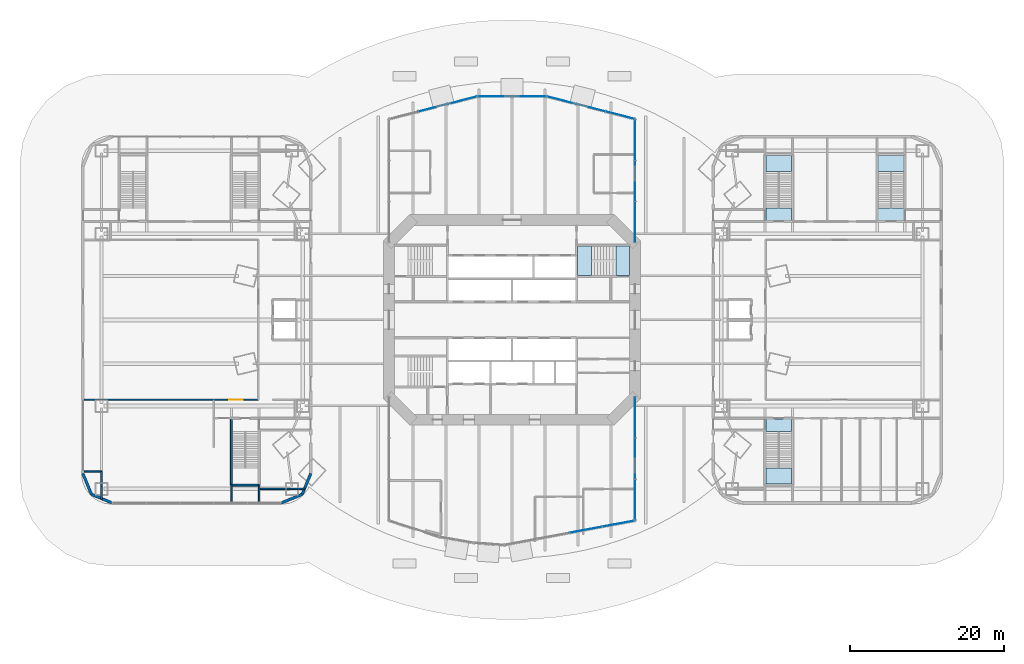
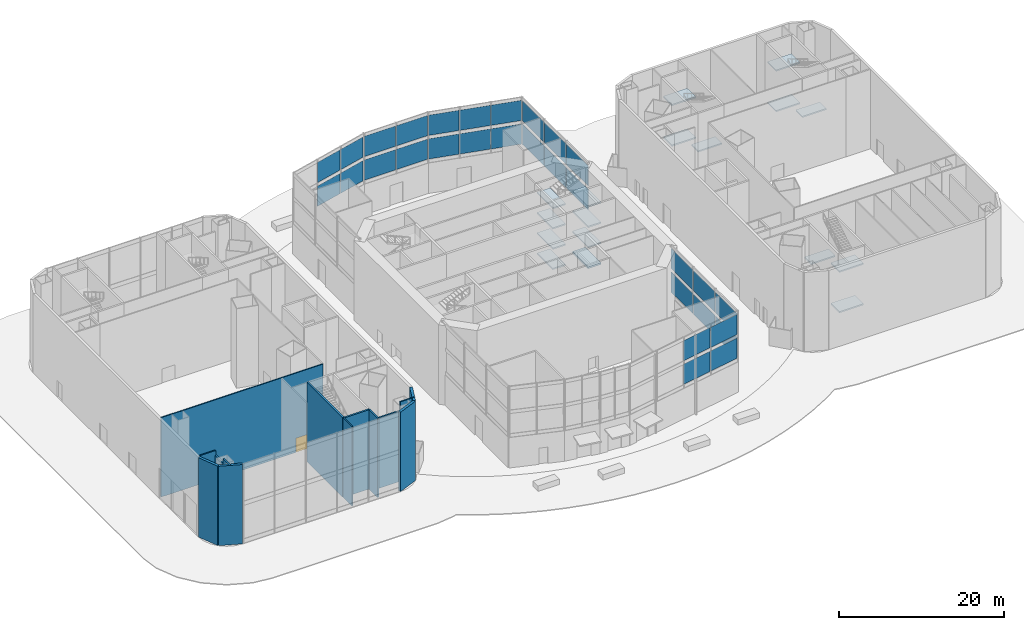
# One storey, part 10 of 23: 30 plates, 17 slabs, 14 walls, 1 door, 1 opening, 10 elements without a shape of their own.
"""IFC4 building model written with IfcOpenShell, lengths in metres."""

import ifcopenshell
import ifcopenshell.guid

model = None  # the IFC model being written
_history = None  # IfcOwnerHistory: only IFC2X3 demands one
_inside = {}  # id of a spatial element -> (the spatial element, [elements in it])
_under = {}  # id of a project, library or spatial element -> (it, [spatial elements below it])
_declared = {}  # id of a project -> (the project, [libraries it declares])
_typed = {}  # id of a type object -> (the type object, [elements of that type])
_made_of = {}  # id of a material, layer set ... -> (it, [elements and type objects made of it])


def new_model(schema):
    """Start an empty IFC model of exactly this schema.

    Asked for "IFC4X3", IfcOpenShell would pick the latest addendum, in which some entities
    have other attributes; the version numbers below select the first issue.
    IFC2X3 requires an IfcOwnerHistory on every rooted entity: one is made here for all.
    """
    global model, _history
    if schema == "IFC4X3":
        model = ifcopenshell.file(schema_version=(4, 3, 0, 0))
    else:
        model = ifcopenshell.file(schema=schema)
    _inside.clear()
    _under.clear()
    _declared.clear()
    _typed.clear()
    _made_of.clear()
    _history = None
    if model.schema == "IFC2X3":
        org = make("IfcOrganization", Name="unknown")
        user = make(
            "IfcPersonAndOrganization",
            ThePerson=make("IfcPerson", FamilyName="unknown"),
            TheOrganization=org,
        )
        app = make(
            "IfcApplication",
            ApplicationDeveloper=org,
            Version="unknown",
            ApplicationFullName="unknown",
            ApplicationIdentifier="unknown",
        )
        _history = make(
            "IfcOwnerHistory",
            OwningUser=user,
            OwningApplication=app,
            ChangeAction="ADDED",
            CreationDate=0,
        )
    return model


def make(cls, **values):
    """One entity of the class cls with the attributes given. An attribute that is None is left unset."""
    return model.create_entity(
        cls, **{name: value for name, value in values.items() if value is not None}
    )


def rooted(cls, **values):
    """An entity with a GlobalId (a new one), such as an element, a storey or a relation."""
    return make(cls, GlobalId=ifcopenshell.guid.new(), OwnerHistory=_history, **values)


def si_unit(unit_type, name, prefix=None):
    """IfcSIUnit, for example si_unit("LENGTHUNIT", "METRE", prefix="MILLI")."""
    return make("IfcSIUnit", UnitType=unit_type, Prefix=prefix, Name=name)


def assignment(units):
    """IfcUnitAssignment: the units of a project."""
    return None if units is None else make("IfcUnitAssignment", Units=units)


def point(xyz):
    """IfcCartesianPoint."""
    return None if xyz is None else make("IfcCartesianPoint", Coordinates=xyz)


def direction(xyz):
    """IfcDirection."""
    return None if xyz is None else make("IfcDirection", DirectionRatios=xyz)


def frame(location, z_axis=None, x_axis=None):
    """IfcAxis2Placement3D, a coordinate frame: its origin and axes. An axis left out is left unset."""
    return make(
        "IfcAxis2Placement3D",
        Location=point(location),
        Axis=direction(z_axis),
        RefDirection=direction(x_axis),
    )


def frame_2d(location, x_axis=None):
    """IfcAxis2Placement2D, a coordinate frame in the plane: its origin and x axis."""
    return make(
        "IfcAxis2Placement2D", Location=point(location), RefDirection=direction(x_axis)
    )


def origin():
    """The frame at (0, 0, 0) with its axes left unset."""
    return frame((0.0, 0.0, 0.0))


def origin_2d():
    """The frame at (0, 0) in the plane with its x axis left unset."""
    return frame_2d((0.0, 0.0))


def place(relative_to, where):
    """IfcLocalPlacement: puts the frame where relative to a parent placement (None: the world)."""
    return make(
        "IfcLocalPlacement", PlacementRelTo=relative_to, RelativePlacement=where
    )


def context(
    kind, dimensions, precision=None, world=None, true_north=None, identifier=None
):
    """IfcGeometricRepresentationContext, for example the 3D "Model" context."""
    return make(
        "IfcGeometricRepresentationContext",
        ContextIdentifier=identifier,
        ContextType=kind,
        CoordinateSpaceDimension=dimensions,
        Precision=precision,
        WorldCoordinateSystem=world,
        TrueNorth=true_north,
    )


def subcontext(parent, identifier, kind, view, scale=None):
    """IfcGeometricRepresentationSubContext, for example "Body" below "Model"."""
    return make(
        "IfcGeometricRepresentationSubContext",
        ContextIdentifier=identifier,
        ContextType=kind,
        ParentContext=parent,
        TargetScale=scale,
        TargetView=view,
    )


def project(units=None, contexts=None):
    """IfcProject with its units and contexts."""
    return rooted(
        "IfcProject",
        Name="project",
        RepresentationContexts=contexts,
        UnitsInContext=assignment(units),
    )


def spatial(cls, under=None, at=None, **own):
    """A site, building, storey or space (cls), placed at a placement, below another one or the project."""
    s = rooted(cls, ObjectPlacement=at, **own)
    if under is not None:
        _under.setdefault(under.id(), (under, []))[1].append(s)
    return s


def polyline(points):
    """IfcPolyline through the points."""
    return make("IfcPolyline", Points=[point(p) for p in points])


def profile(cls, at=None, kind="AREA", **sizes):
    """A parametric profile (cls). Its sizes go by their IFC names, for example OverallWidth=200.0."""
    return make(cls, ProfileType=kind, Position=at, **sizes)


def rectangle(**sizes):
    """IfcRectangleProfileDef."""
    return profile("IfcRectangleProfileDef", **sizes)


def outline(outer, holes=None, kind="AREA"):
    """IfcArbitraryClosedProfileDef: a profile drawn as a closed curve; with holes, ...WithVoids."""
    if holes is None:
        return make("IfcArbitraryClosedProfileDef", ProfileType=kind, OuterCurve=outer)
    return make(
        "IfcArbitraryProfileDefWithVoids",
        ProfileType=kind,
        OuterCurve=outer,
        InnerCurves=holes,
    )


def extrude(swept, where, along, depth):
    """IfcExtrudedAreaSolid: the profile swept, set in the frame where, extruded along a direction by depth."""
    return make(
        "IfcExtrudedAreaSolid",
        SweptArea=swept,
        Position=where,
        ExtrudedDirection=direction(along),
        Depth=depth,
    )


def shape(context_of_items, identifier, shape_type, items):
    """IfcShapeRepresentation: the items that make up one representation, for example the "Body"."""
    return make(
        "IfcShapeRepresentation",
        ContextOfItems=context_of_items,
        RepresentationIdentifier=identifier,
        RepresentationType=shape_type,
        Items=items,
    )


def material(Name=None, Category=None):
    """IfcMaterial."""
    return make("IfcMaterial", Name=Name, Category=Category)


def layer(
    of_material, thickness, ventilated=None, Name=None, Category=None, Priority=None
):
    """IfcMaterialLayer: one layer of a wall or slab, of a material (None: an air gap)."""
    return make(
        "IfcMaterialLayer",
        Material=of_material,
        LayerThickness=thickness,
        IsVentilated=ventilated,
        Name=Name,
        Category=Category,
        Priority=Priority,
    )


def layer_set(layers, Name=None):
    """IfcMaterialLayerSet."""
    return make("IfcMaterialLayerSet", MaterialLayers=layers, LayerSetName=Name)


def made_of(thing, what):
    """Note that an element or type object is made of a material, layer set ...; save() writes the relation."""
    if what is not None:
        _made_of.setdefault(what.id(), (what, []))[1].append(thing)
    return thing


def type_object(cls, material=None, **own):
    """A type object (cls), such as IfcWallType, which elements share."""
    return made_of(rooted(cls, **own), material)


def element(
    cls,
    number,
    at=None,
    inside=None,
    cuts=None,
    type_object=None,
    material=None,
    context=None,
    identifier="Body",
    shape_type=None,
    held_by="IfcProductDefinitionShape",
    body=None,
    shapes=None,
    **own,
):
    """One element of the class cls, such as IfcWall. Its Tag is "e" and its number.

    at: its placement. inside: the storey or other place that contains it. cuts: it is an
    opening in that element (IfcRelVoidsElement). A single representation is given by context,
    identifier, shape_type and body (its items); several are given by shapes. held_by: the class
    of the entity that holds the representations. save() writes the other relations.
    """
    e = rooted(cls, Tag="e%d" % number, ObjectPlacement=at, **own)
    if body is not None:
        shapes = [shape(context, identifier, shape_type, body)]
    if shapes is not None:
        e.Representation = make(held_by, Representations=shapes)
    if inside is not None:
        _inside.setdefault(inside.id(), (inside, []))[1].append(e)
    if cuts is not None:
        rooted(
            "IfcRelVoidsElement", RelatingBuildingElement=cuts, RelatedOpeningElement=e
        )
    if type_object is not None:
        _typed.setdefault(type_object.id(), (type_object, []))[1].append(e)
    return made_of(e, material)


def fill(opening, filler):
    """IfcRelFillsElement: the door or window that sits in an opening."""
    return rooted(
        "IfcRelFillsElement",
        RelatingOpeningElement=opening,
        RelatedBuildingElement=filler,
    )


def aggregate(whole, parts):
    """IfcRelAggregates: a whole, such as a stair, and the parts it consists of."""
    return rooted("IfcRelAggregates", RelatingObject=whole, RelatedObjects=parts)


def save(model, path):
    """Write the relations noted so far, then the file.

    IfcRelAggregates (storeys below a building ...), IfcRelContainedInSpatialStructure (elements
    in a storey), IfcRelDefinesByType, IfcRelAssociatesMaterial and IfcRelDeclares: one each for
    every whole, place, type object, material and project.
    """
    for whole, parts in _under.values():
        aggregate(whole, parts)
    for where, things in _inside.values():
        rooted(
            "IfcRelContainedInSpatialStructure",
            RelatedElements=things,
            RelatingStructure=where,
        )
    for kind, things in _typed.values():
        rooted("IfcRelDefinesByType", RelatedObjects=things, RelatingType=kind)
    for what, things in _made_of.values():
        rooted("IfcRelAssociatesMaterial", RelatedObjects=things, RelatingMaterial=what)
    for by, libraries in _declared.values():
        rooted("IfcRelDeclares", RelatingContext=by, RelatedDefinitions=libraries)
    model.write(path)


model = new_model("IFC4")

# Units and contexts
model_context = context("Model", 3, precision=1e-05, world=origin(), true_north=direction((0.0, 1.0)))
body_context = subcontext(model_context, "Body", "Model", "MODEL_VIEW")
ifc_project = project(units=[si_unit("LENGTHUNIT", "METRE"), si_unit("AREAUNIT", "SQUARE_METRE"), si_unit("VOLUMEUNIT", "CUBIC_METRE"), si_unit("PLANEANGLEUNIT", "RADIAN"), si_unit("MASSUNIT", "GRAM", prefix="KILO")], contexts=[model_context])

# Site, building, storey
site_placement = place(None, origin())
site = spatial("IfcSite", under=ifc_project, at=site_placement, CompositionType="ELEMENT")
building_placement = place(site_placement, origin())
building = spatial("IfcBuilding", under=site, at=building_placement, Name="Marenthal Gate Tower", CompositionType="ELEMENT")
storey_placement = place(building_placement, origin())
storey = spatial("IfcBuildingStorey", under=building, at=storey_placement, Name="L00", CompositionType="ELEMENT", Elevation=0.0)

# Slab
ifc_material_1 = material(Name="Concrete 50 MPa", Category="concrete")
ifc_layer_1 = layer(ifc_material_1, 0.25)
ifc_layer_set_1 = layer_set([ifc_layer_1], Name="Core floor slab 250")
slab_type_1 = type_object("IfcSlabType", Name="Core floor slab 250", PredefinedType="FLOOR", material=ifc_layer_set_1)
slab_1_placement = place(storey_placement, frame((0.0, 0.0, -0.25)))
element("IfcSlab", 1, at=slab_1_placement, inside=storey, type_object=slab_type_1, Name="Core floor L00", PredefinedType="FLOOR", context=body_context, shape_type="SweptSolid", body=[
    extrude(outline(polyline([(15.300048828125, 5.77490234375), (13.5, 5.77490234375), (13.5, 9.574951171875), (15.300048828125, 9.574951171875), (15.300048828125, 5.77490234375)])), origin(), (0.0, 0.0, 1.0), 0.25),
])

# Curtain wall, plates
ifc_material_2 = material(Name="Aluminium and glass", Category="aluminium")
curtain_wall_type = type_object("IfcCurtainWallType", Name="Curtain wall arch infill", PredefinedType="NOTDEFINED", material=ifc_material_2)
curtain_wall_1_placement = place(storey_placement, origin())
curtain_wall_1 = element("IfcCurtainWall", 2, at=curtain_wall_1_placement, inside=storey, type_object=curtain_wall_type, Name="Curtain wall L00 arch N1", PredefinedType="NOTDEFINED")
ifc_material_3 = material(Name="Glass, laminated impact-rated unit", Category="glass")
ifc_layer_2 = layer(ifc_material_3, 0.035888671875)
ifc_layer_set_2 = layer_set([ifc_layer_2], Name="Glass panel 36 arch infill")
plate_type = type_object("IfcPlateType", Name="Glass panel 36 arch infill", PredefinedType="CURTAIN_PANEL", material=ifc_layer_set_2)
plate_1_placement = place(storey_placement, frame((-10.25, 27.589111328125, 5.0), z_axis=(0.0, 0.0, 1.0), x_axis=(0.968768898542, 0.247965362941, 0.0)))
plate_1 = element("IfcPlate", 3, at=plate_1_placement, type_object=plate_type, Name="Glass panel L00 arch N1.2.1", PredefinedType="CURTAIN_PANEL", context=body_context, shape_type="SweptSolid", body=[
    extrude(rectangle(XDim=3.850341796875, YDim=0.035888671875, at=origin_2d()), origin(), (0.0, 0.0, 1.0), 3.0),
])
plate_2_placement = place(storey_placement, frame((-10.25, 27.589111328125, 8.5), z_axis=(0.0, 0.0, 1.0), x_axis=(0.968768898542, 0.247965362941, 0.0)))
plate_2 = element("IfcPlate", 4, at=plate_2_placement, type_object=plate_type, Name="Glass panel L00 arch N1.2.2", PredefinedType="CURTAIN_PANEL", context=body_context, shape_type="SweptSolid", body=[
    extrude(rectangle(XDim=3.850341796875, YDim=0.035888671875, at=origin_2d()), origin(), (0.0, 0.0, 1.0), 3.0),
])
plate_3_placement = place(storey_placement, frame((-6.4423828125, 28.563720703125, 5.0), z_axis=(0.0, 0.0, 1.0), x_axis=(0.968768898542, 0.247965362941, 0.0)))
plate_3 = element("IfcPlate", 5, at=plate_3_placement, type_object=plate_type, Name="Glass panel L00 arch N1.3.1", PredefinedType="CURTAIN_PANEL", context=body_context, shape_type="SweptSolid", body=[
    extrude(rectangle(XDim=3.850341796875, YDim=0.035888671875, at=origin_2d()), origin(), (0.0, 0.0, 1.0), 3.0),
])
plate_4_placement = place(storey_placement, frame((-6.4423828125, 28.563720703125, 8.5), z_axis=(0.0, 0.0, 1.0), x_axis=(0.968768898542, 0.247965362941, 0.0)))
plate_4 = element("IfcPlate", 6, at=plate_4_placement, type_object=plate_type, Name="Glass panel L00 arch N1.3.2", PredefinedType="CURTAIN_PANEL", context=body_context, shape_type="SweptSolid", body=[
    extrude(rectangle(XDim=3.850341796875, YDim=0.035888671875, at=origin_2d()), origin(), (0.0, 0.0, 1.0), 3.0),
])
aggregate(curtain_wall_1, [plate_1, plate_2, plate_3, plate_4])

curtain_wall_2_placement = place(storey_placement, origin())
curtain_wall_2 = element("IfcCurtainWall", 7, at=curtain_wall_2_placement, inside=storey, type_object=curtain_wall_type, Name="Curtain wall L00 arch N2", PredefinedType="NOTDEFINED")
plate_5_placement = place(storey_placement, frame((-2.22998046875, 29.06103515625, 5.0), z_axis=(0.0, 0.0, 1.0), x_axis=(1.0, 0.0, 0.0)))
plate_5 = element("IfcPlate", 8, at=plate_5_placement, type_object=plate_type, Name="Glass panel L00 arch N2.1.1", PredefinedType="CURTAIN_PANEL", context=body_context, shape_type="SweptSolid", body=[
    extrude(rectangle(XDim=4.3798828125, YDim=0.035888671875, at=origin_2d()), origin(), (0.0, 0.0, 1.0), 3.0),
])
plate_6_placement = place(storey_placement, frame((-2.22998046875, 29.06103515625, 8.5), z_axis=(0.0, 0.0, 1.0), x_axis=(1.0, 0.0, 0.0)))
plate_6 = element("IfcPlate", 9, at=plate_6_placement, type_object=plate_type, Name="Glass panel L00 arch N2.1.2", PredefinedType="CURTAIN_PANEL", context=body_context, shape_type="SweptSolid", body=[
    extrude(rectangle(XDim=4.3798828125, YDim=0.035888671875, at=origin_2d()), origin(), (0.0, 0.0, 1.0), 3.0),
])
plate_7_placement = place(storey_placement, frame((2.22998046875, 29.06103515625, 5.0), z_axis=(0.0, 0.0, 1.0), x_axis=(1.0, 0.0, 0.0)))
plate_7 = element("IfcPlate", 10, at=plate_7_placement, type_object=plate_type, Name="Glass panel L00 arch N2.2.1", PredefinedType="CURTAIN_PANEL", context=body_context, shape_type="SweptSolid", body=[
    extrude(rectangle(XDim=4.3798828125, YDim=0.035888671875, at=origin_2d()), origin(), (0.0, 0.0, 1.0), 3.0),
])
plate_8_placement = place(storey_placement, frame((2.22998046875, 29.06103515625, 8.5), z_axis=(0.0, 0.0, 1.0), x_axis=(1.0, 0.0, 0.0)))
plate_8 = element("IfcPlate", 11, at=plate_8_placement, type_object=plate_type, Name="Glass panel L00 arch N2.2.2", PredefinedType="CURTAIN_PANEL", context=body_context, shape_type="SweptSolid", body=[
    extrude(rectangle(XDim=4.3798828125, YDim=0.035888671875, at=origin_2d()), origin(), (0.0, 0.0, 1.0), 3.0),
])
aggregate(curtain_wall_2, [plate_5, plate_6, plate_7, plate_8])

curtain_wall_3_placement = place(storey_placement, origin())
curtain_wall_3 = element("IfcCurtainWall", 12, at=curtain_wall_3_placement, inside=storey, type_object=curtain_wall_type, Name="Curtain wall L00 arch N3", PredefinedType="NOTDEFINED")
plate_9_placement = place(storey_placement, frame((6.4423828125, 28.563720703125, 5.0), z_axis=(0.0, 0.0, 1.0), x_axis=(0.968768898542, -0.247965362941, 0.0)))
plate_9 = element("IfcPlate", 13, at=plate_9_placement, type_object=plate_type, Name="Glass panel L00 arch N3.1.1", PredefinedType="CURTAIN_PANEL", context=body_context, shape_type="SweptSolid", body=[
    extrude(rectangle(XDim=3.850341796875, YDim=0.035888671875, at=origin_2d()), origin(), (0.0, 0.0, 1.0), 3.0),
])
plate_10_placement = place(storey_placement, frame((6.4423828125, 28.563720703125, 8.5), z_axis=(0.0, 0.0, 1.0), x_axis=(0.968768898542, -0.247965362941, 0.0)))
plate_10 = element("IfcPlate", 14, at=plate_10_placement, type_object=plate_type, Name="Glass panel L00 arch N3.1.2", PredefinedType="CURTAIN_PANEL", context=body_context, shape_type="SweptSolid", body=[
    extrude(rectangle(XDim=3.850341796875, YDim=0.035888671875, at=origin_2d()), origin(), (0.0, 0.0, 1.0), 3.0),
])
plate_11_placement = place(storey_placement, frame((10.25, 27.589111328125, 5.0), z_axis=(0.0, 0.0, 1.0), x_axis=(0.968768898542, -0.247965362941, 0.0)))
plate_11 = element("IfcPlate", 15, at=plate_11_placement, type_object=plate_type, Name="Glass panel L00 arch N3.2.1", PredefinedType="CURTAIN_PANEL", context=body_context, shape_type="SweptSolid", body=[
    extrude(rectangle(XDim=3.850341796875, YDim=0.035888671875, at=origin_2d()), origin(), (0.0, 0.0, 1.0), 3.0),
])
plate_12_placement = place(storey_placement, frame((10.25, 27.589111328125, 8.5), z_axis=(0.0, 0.0, 1.0), x_axis=(0.968768898542, -0.247965362941, 0.0)))
plate_12 = element("IfcPlate", 16, at=plate_12_placement, type_object=plate_type, Name="Glass panel L00 arch N3.2.2", PredefinedType="CURTAIN_PANEL", context=body_context, shape_type="SweptSolid", body=[
    extrude(rectangle(XDim=3.850341796875, YDim=0.035888671875, at=origin_2d()), origin(), (0.0, 0.0, 1.0), 3.0),
])
plate_13_placement = place(storey_placement, frame((14.0576171875, 26.614501953125, 5.0), z_axis=(0.0, 0.0, 1.0), x_axis=(0.968768898542, -0.247965362941, 0.0)))
plate_13 = element("IfcPlate", 17, at=plate_13_placement, type_object=plate_type, Name="Glass panel L00 arch N3.3.1", PredefinedType="CURTAIN_PANEL", context=body_context, shape_type="SweptSolid", body=[
    extrude(rectangle(XDim=3.850341796875, YDim=0.035888671875, at=origin_2d()), origin(), (0.0, 0.0, 1.0), 3.0),
])
plate_14_placement = place(storey_placement, frame((14.0576171875, 26.614501953125, 8.5), z_axis=(0.0, 0.0, 1.0), x_axis=(0.968768898542, -0.247965362941, 0.0)))
plate_14 = element("IfcPlate", 18, at=plate_14_placement, type_object=plate_type, Name="Glass panel L00 arch N3.3.2", PredefinedType="CURTAIN_PANEL", context=body_context, shape_type="SweptSolid", body=[
    extrude(rectangle(XDim=3.850341796875, YDim=0.035888671875, at=origin_2d()), origin(), (0.0, 0.0, 1.0), 3.0),
])
aggregate(curtain_wall_3, [plate_9, plate_10, plate_11, plate_12, plate_13, plate_14])

curtain_wall_4_placement = place(storey_placement, origin())
curtain_wall_4 = element("IfcCurtainWall", 19, at=curtain_wall_4_placement, inside=storey, type_object=curtain_wall_type, Name="Curtain wall L00 hall NE1", PredefinedType="NOTDEFINED")
plate_15_placement = place(storey_placement, frame((16.0, 12.712890625, 5.0), z_axis=(0.0, 0.0, 1.0), x_axis=(0.0, 1.0, 0.0)))
plate_15 = element("IfcPlate", 20, at=plate_15_placement, type_object=plate_type, Name="Glass panel L00 hall NE1.1.1", PredefinedType="CURTAIN_PANEL", context=body_context, shape_type="SweptSolid", body=[
    extrude(rectangle(XDim=5.265869140625, YDim=0.035888671875, at=origin_2d()), origin(), (0.0, 0.0, 1.0), 3.0),
])
plate_16_placement = place(storey_placement, frame((16.0, 12.712890625, 8.5), z_axis=(0.0, 0.0, 1.0), x_axis=(0.0, 1.0, 0.0)))
plate_16 = element("IfcPlate", 21, at=plate_16_placement, type_object=plate_type, Name="Glass panel L00 hall NE1.1.2", PredefinedType="CURTAIN_PANEL", context=body_context, shape_type="SweptSolid", body=[
    extrude(rectangle(XDim=5.265869140625, YDim=0.035888671875, at=origin_2d()), origin(), (0.0, 0.0, 1.0), 3.0),
])
plate_17_placement = place(storey_placement, frame((16.0, 18.05859375, 5.0), z_axis=(0.0, 0.0, 1.0), x_axis=(0.0, 1.0, 0.0)))
plate_17 = element("IfcPlate", 22, at=plate_17_placement, type_object=plate_type, Name="Glass panel L00 hall NE1.2.1", PredefinedType="CURTAIN_PANEL", context=body_context, shape_type="SweptSolid", body=[
    extrude(rectangle(XDim=5.265869140625, YDim=0.035888671875, at=origin_2d()), origin(), (0.0, 0.0, 1.0), 3.0),
])
plate_18_placement = place(storey_placement, frame((16.0, 18.05859375, 8.5), z_axis=(0.0, 0.0, 1.0), x_axis=(0.0, 1.0, 0.0)))
plate_18 = element("IfcPlate", 23, at=plate_18_placement, type_object=plate_type, Name="Glass panel L00 hall NE1.2.2", PredefinedType="CURTAIN_PANEL", context=body_context, shape_type="SweptSolid", body=[
    extrude(rectangle(XDim=5.265869140625, YDim=0.035888671875, at=origin_2d()), origin(), (0.0, 0.0, 1.0), 3.0),
])
plate_19_placement = place(storey_placement, frame((16.0, 23.404541015625, 5.0), z_axis=(0.0, 0.0, 1.0), x_axis=(0.0, 1.0, 0.0)))
plate_19 = element("IfcPlate", 24, at=plate_19_placement, type_object=plate_type, Name="Glass panel L00 hall NE1.3.1", PredefinedType="CURTAIN_PANEL", context=body_context, shape_type="SweptSolid", body=[
    extrude(rectangle(XDim=5.265869140625, YDim=0.035888671875, at=origin_2d()), origin(), (0.0, 0.0, 1.0), 3.0),
])
plate_20_placement = place(storey_placement, frame((16.0, 23.404541015625, 8.5), z_axis=(0.0, 0.0, 1.0), x_axis=(0.0, 1.0, 0.0)))
plate_20 = element("IfcPlate", 25, at=plate_20_placement, type_object=plate_type, Name="Glass panel L00 hall NE1.3.2", PredefinedType="CURTAIN_PANEL", context=body_context, shape_type="SweptSolid", body=[
    extrude(rectangle(XDim=5.265869140625, YDim=0.035888671875, at=origin_2d()), origin(), (0.0, 0.0, 1.0), 3.0),
])
aggregate(curtain_wall_4, [plate_15, plate_16, plate_17, plate_18, plate_19, plate_20])

curtain_wall_5_placement = place(storey_placement, origin())
curtain_wall_5 = element("IfcCurtainWall", 26, at=curtain_wall_5_placement, inside=storey, type_object=curtain_wall_type, Name="Curtain wall L00 arch S4", PredefinedType="NOTDEFINED")
plate_21_placement = place(storey_placement, frame((9.615234375, -27.308349609375, 5.0), z_axis=(0.0, 0.0, 1.0), x_axis=(0.983046432537, 0.183356787375, 0.0)))
plate_21 = element("IfcPlate", 27, at=plate_21_placement, type_object=plate_type, Name="Glass panel L00 arch S4.3.1", PredefinedType="CURTAIN_PANEL", context=body_context, shape_type="SweptSolid", body=[
    extrude(rectangle(XDim=4.223388671875, YDim=0.035888671875, at=origin_2d()), origin(), (0.0, 0.0, 1.0), 3.0),
])
plate_22_placement = place(storey_placement, frame((9.615234375, -27.308349609375, 8.5), z_axis=(0.0, 0.0, 1.0), x_axis=(0.983046432537, 0.183356787375, 0.0)))
plate_22 = element("IfcPlate", 28, at=plate_22_placement, type_object=plate_type, Name="Glass panel L00 arch S4.3.2", PredefinedType="CURTAIN_PANEL", context=body_context, shape_type="SweptSolid", body=[
    extrude(rectangle(XDim=4.223388671875, YDim=0.035888671875, at=origin_2d()), origin(), (0.0, 0.0, 1.0), 3.0),
])
plate_23_placement = place(storey_placement, frame((13.845458984375, -26.519287109375, 5.0), z_axis=(0.0, 0.0, 1.0), x_axis=(0.983046432537, 0.183356787375, 0.0)))
plate_23 = element("IfcPlate", 29, at=plate_23_placement, type_object=plate_type, Name="Glass panel L00 arch S4.4.1", PredefinedType="CURTAIN_PANEL", context=body_context, shape_type="SweptSolid", body=[
    extrude(rectangle(XDim=4.223388671875, YDim=0.035888671875, at=origin_2d()), origin(), (0.0, 0.0, 1.0), 3.0),
])
plate_24_placement = place(storey_placement, frame((13.845458984375, -26.519287109375, 8.5), z_axis=(0.0, 0.0, 1.0), x_axis=(0.983046432537, 0.183356787375, 0.0)))
plate_24 = element("IfcPlate", 30, at=plate_24_placement, type_object=plate_type, Name="Glass panel L00 arch S4.4.2", PredefinedType="CURTAIN_PANEL", context=body_context, shape_type="SweptSolid", body=[
    extrude(rectangle(XDim=4.223388671875, YDim=0.035888671875, at=origin_2d()), origin(), (0.0, 0.0, 1.0), 3.0),
])
aggregate(curtain_wall_5, [plate_21, plate_22, plate_23, plate_24])

curtain_wall_6_placement = place(storey_placement, origin())
curtain_wall_6 = element("IfcCurtainWall", 31, at=curtain_wall_6_placement, inside=storey, type_object=curtain_wall_type, Name="Curtain wall L00 hall SE1", PredefinedType="NOTDEFINED")
plate_25_placement = place(storey_placement, frame((16.0, -12.712890625, 5.0), z_axis=(0.0, 0.0, 1.0), x_axis=(0.0, -1.0, 0.0)))
plate_25 = element("IfcPlate", 32, at=plate_25_placement, type_object=plate_type, Name="Glass panel L00 hall SE1.1.1", PredefinedType="CURTAIN_PANEL", context=body_context, shape_type="SweptSolid", body=[
    extrude(rectangle(XDim=5.265869140625, YDim=0.035888671875, at=origin_2d()), origin(), (0.0, 0.0, 1.0), 3.0),
])
plate_26_placement = place(storey_placement, frame((16.0, -12.712890625, 8.5), z_axis=(0.0, 0.0, 1.0), x_axis=(0.0, -1.0, 0.0)))
plate_26 = element("IfcPlate", 33, at=plate_26_placement, type_object=plate_type, Name="Glass panel L00 hall SE1.1.2", PredefinedType="CURTAIN_PANEL", context=body_context, shape_type="SweptSolid", body=[
    extrude(rectangle(XDim=5.265869140625, YDim=0.035888671875, at=origin_2d()), origin(), (0.0, 0.0, 1.0), 3.0),
])
plate_27_placement = place(storey_placement, frame((16.0, -18.05859375, 5.0), z_axis=(0.0, 0.0, 1.0), x_axis=(0.0, -1.0, 0.0)))
plate_27 = element("IfcPlate", 34, at=plate_27_placement, type_object=plate_type, Name="Glass panel L00 hall SE1.2.1", PredefinedType="CURTAIN_PANEL", context=body_context, shape_type="SweptSolid", body=[
    extrude(rectangle(XDim=5.265869140625, YDim=0.035888671875, at=origin_2d()), origin(), (0.0, 0.0, 1.0), 3.0),
])
plate_28_placement = place(storey_placement, frame((16.0, -18.05859375, 8.5), z_axis=(0.0, 0.0, 1.0), x_axis=(0.0, -1.0, 0.0)))
plate_28 = element("IfcPlate", 35, at=plate_28_placement, type_object=plate_type, Name="Glass panel L00 hall SE1.2.2", PredefinedType="CURTAIN_PANEL", context=body_context, shape_type="SweptSolid", body=[
    extrude(rectangle(XDim=5.265869140625, YDim=0.035888671875, at=origin_2d()), origin(), (0.0, 0.0, 1.0), 3.0),
])
plate_29_placement = place(storey_placement, frame((16.0, -23.404541015625, 5.0), z_axis=(0.0, 0.0, 1.0), x_axis=(0.0, -1.0, 0.0)))
plate_29 = element("IfcPlate", 36, at=plate_29_placement, type_object=plate_type, Name="Glass panel L00 hall SE1.3.1", PredefinedType="CURTAIN_PANEL", context=body_context, shape_type="SweptSolid", body=[
    extrude(rectangle(XDim=5.265869140625, YDim=0.035888671875, at=origin_2d()), origin(), (0.0, 0.0, 1.0), 3.0),
])
plate_30_placement = place(storey_placement, frame((16.0, -23.404541015625, 8.5), z_axis=(0.0, 0.0, 1.0), x_axis=(0.0, -1.0, 0.0)))
plate_30 = element("IfcPlate", 37, at=plate_30_placement, type_object=plate_type, Name="Glass panel L00 hall SE1.3.2", PredefinedType="CURTAIN_PANEL", context=body_context, shape_type="SweptSolid", body=[
    extrude(rectangle(XDim=5.265869140625, YDim=0.035888671875, at=origin_2d()), origin(), (0.0, 0.0, 1.0), 3.0),
])
aggregate(curtain_wall_6, [plate_25, plate_26, plate_27, plate_28, plate_29, plate_30])

# Stair, slabs
ifc_material_4 = material(Name="Concrete 40 MPa", Category="concrete")
stair_type_1 = type_object("IfcStairType", Name="Exit stair 1800", PredefinedType="HALF_TURN_STAIR", material=ifc_material_4)
stair_1_placement = place(storey_placement, origin())
stair_1 = element("IfcStair", 38, at=stair_1_placement, inside=storey, type_object=stair_type_1, Name="Stair ST3", PredefinedType="HALF_TURN_STAIR")
ifc_material_5 = material(Name="Concrete 40 MPa", Category="concrete")
ifc_layer_3 = layer(ifc_material_5, 0.199951171875)
ifc_layer_set_3 = layer_set([ifc_layer_3], Name="Stair landing 200")
slab_type_2 = type_object("IfcSlabType", Name="Stair landing 200", PredefinedType="LANDING", material=ifc_layer_set_3)
slab_2_placement = place(storey_placement, frame((0.0, 0.0, 1.300048828125)))
slab_2 = element("IfcSlab", 39, at=slab_2_placement, type_object=slab_type_2, Name="ST3 landing 1", PredefinedType="LANDING", context=body_context, shape_type="SweptSolid", body=[
    extrude(outline(polyline([(8.550048828125, 5.77490234375), (10.350341796875, 5.77490234375), (10.350341796875, 9.574951171875), (8.550048828125, 9.574951171875), (8.550048828125, 5.77490234375)])), origin(), (0.0, 0.0, 1.0), 0.199951171875),
])
slab_3_placement = place(storey_placement, frame((0.0, 0.0, 2.800048828125)))
slab_3 = element("IfcSlab", 40, at=slab_3_placement, type_object=slab_type_2, Name="ST3 landing 2", PredefinedType="LANDING", context=body_context, shape_type="SweptSolid", body=[
    extrude(outline(polyline([(13.5, 5.77490234375), (15.300048828125, 5.77490234375), (15.300048828125, 9.574951171875), (13.5, 9.574951171875), (13.5, 5.77490234375)])), origin(), (0.0, 0.0, 1.0), 0.199951171875),
])
slab_4_placement = place(storey_placement, frame((0.0, 0.0, 4.300048828125)))
slab_4 = element("IfcSlab", 41, at=slab_4_placement, type_object=slab_type_2, Name="ST3 landing 3", PredefinedType="LANDING", context=body_context, shape_type="SweptSolid", body=[
    extrude(outline(polyline([(8.550048828125, 5.77490234375), (10.350341796875, 5.77490234375), (10.350341796875, 9.574951171875), (8.550048828125, 9.574951171875), (8.550048828125, 5.77490234375)])), origin(), (0.0, 0.0, 1.0), 0.199951171875),
])
slab_5_placement = place(storey_placement, frame((0.0, 0.0, 5.800048828125)))
slab_5 = element("IfcSlab", 42, at=slab_5_placement, type_object=slab_type_2, Name="ST3 landing 4", PredefinedType="LANDING", context=body_context, shape_type="SweptSolid", body=[
    extrude(outline(polyline([(13.5, 5.77490234375), (15.300048828125, 5.77490234375), (15.300048828125, 9.574951171875), (13.5, 9.574951171875), (13.5, 5.77490234375)])), origin(), (0.0, 0.0, 1.0), 0.199951171875),
])
slab_6_placement = place(storey_placement, frame((0.0, 0.0, 7.300048828125)))
slab_6 = element("IfcSlab", 43, at=slab_6_placement, type_object=slab_type_2, Name="ST3 landing 5", PredefinedType="LANDING", context=body_context, shape_type="SweptSolid", body=[
    extrude(outline(polyline([(8.550048828125, 5.77490234375), (10.350341796875, 5.77490234375), (10.350341796875, 9.574951171875), (8.550048828125, 9.574951171875), (8.550048828125, 5.77490234375)])), origin(), (0.0, 0.0, 1.0), 0.199951171875),
])
slab_7_placement = place(storey_placement, frame((0.0, 0.0, 8.800048828125)))
slab_7 = element("IfcSlab", 44, at=slab_7_placement, type_object=slab_type_2, Name="ST3 landing 6", PredefinedType="LANDING", context=body_context, shape_type="SweptSolid", body=[
    extrude(outline(polyline([(13.5, 5.77490234375), (15.300048828125, 5.77490234375), (15.300048828125, 9.574951171875), (13.5, 9.574951171875), (13.5, 5.77490234375)])), origin(), (0.0, 0.0, 1.0), 0.199951171875),
])
slab_8_placement = place(storey_placement, frame((0.0, 0.0, 10.300048828125)))
slab_8 = element("IfcSlab", 45, at=slab_8_placement, type_object=slab_type_2, Name="ST3 landing 7", PredefinedType="LANDING", context=body_context, shape_type="SweptSolid", body=[
    extrude(outline(polyline([(8.550048828125, 5.77490234375), (10.350341796875, 5.77490234375), (10.350341796875, 9.574951171875), (8.550048828125, 9.574951171875), (8.550048828125, 5.77490234375)])), origin(), (0.0, 0.0, 1.0), 0.199951171875),
])
aggregate(stair_1, [slab_2, slab_3, slab_4, slab_5, slab_6, slab_7, slab_8])

ifc_material_6 = material(Name="Concrete 40 MPa", Category="concrete")
stair_type_2 = type_object("IfcStairType", Name="Exit stair 1600", PredefinedType="HALF_TURN_STAIR", material=ifc_material_6)
stair_2_placement = place(storey_placement, origin())
stair_2 = element("IfcStair", 46, at=stair_2_placement, inside=storey, type_object=stair_type_2, Name="Stair E1", PredefinedType="HALF_TURN_STAIR")
slab_9_placement = place(storey_placement, frame((0.0, 0.0, 2.800048828125)))
slab_9 = element("IfcSlab", 47, at=slab_9_placement, type_object=slab_type_2, Name="E1 landing 1", PredefinedType="LANDING", context=body_context, shape_type="SweptSolid", body=[
    extrude(outline(polyline([(33.02490234375, 19.284912109375), (33.02490234375, 21.375), (36.375, 21.375), (36.375, 19.284912109375), (33.02490234375, 19.284912109375)])), origin(), (0.0, 0.0, 1.0), 0.199951171875),
])
slab_10_placement = place(storey_placement, frame((0.0, 0.0, 5.800048828125)))
slab_10 = element("IfcSlab", 48, at=slab_10_placement, type_object=slab_type_2, Name="E1 landing 2", PredefinedType="LANDING", context=body_context, shape_type="SweptSolid", body=[
    extrude(outline(polyline([(33.02490234375, 12.925048828125), (33.02490234375, 14.52490234375), (36.375, 14.52490234375), (36.375, 12.925048828125), (33.02490234375, 12.925048828125)])), origin(), (0.0, 0.0, 1.0), 0.199951171875),
])
slab_11_placement = place(storey_placement, frame((0.0, 0.0, 8.800048828125)))
slab_11 = element("IfcSlab", 49, at=slab_11_placement, type_object=slab_type_2, Name="E1 landing 3", PredefinedType="LANDING", context=body_context, shape_type="SweptSolid", body=[
    extrude(outline(polyline([(33.02490234375, 19.284912109375), (33.02490234375, 21.375), (36.375, 21.375), (36.375, 19.284912109375), (33.02490234375, 19.284912109375)])), origin(), (0.0, 0.0, 1.0), 0.199951171875),
])
aggregate(stair_2, [slab_9, slab_10, slab_11])

stair_3_placement = place(storey_placement, origin())
stair_3 = element("IfcStair", 50, at=stair_3_placement, inside=storey, type_object=stair_type_2, Name="Stair E2", PredefinedType="HALF_TURN_STAIR")
slab_12_placement = place(storey_placement, frame((0.0, 0.0, 2.800048828125)))
slab_12 = element("IfcSlab", 51, at=slab_12_placement, type_object=slab_type_2, Name="E2 landing 1", PredefinedType="LANDING", context=body_context, shape_type="SweptSolid", body=[
    extrude(outline(polyline([(36.375, -19.284912109375), (36.375, -21.375), (33.02490234375, -21.375), (33.02490234375, -19.284912109375), (36.375, -19.284912109375)])), origin(), (0.0, 0.0, 1.0), 0.199951171875),
])
slab_13_placement = place(storey_placement, frame((0.0, 0.0, 5.800048828125)))
slab_13 = element("IfcSlab", 52, at=slab_13_placement, type_object=slab_type_2, Name="E2 landing 2", PredefinedType="LANDING", context=body_context, shape_type="SweptSolid", body=[
    extrude(outline(polyline([(36.375, -12.925048828125), (36.375, -14.52490234375), (33.02490234375, -14.52490234375), (33.02490234375, -12.925048828125), (36.375, -12.925048828125)])), origin(), (0.0, 0.0, 1.0), 0.199951171875),
])
slab_14_placement = place(storey_placement, frame((0.0, 0.0, 8.800048828125)))
slab_14 = element("IfcSlab", 53, at=slab_14_placement, type_object=slab_type_2, Name="E2 landing 3", PredefinedType="LANDING", context=body_context, shape_type="SweptSolid", body=[
    extrude(outline(polyline([(36.375, -19.284912109375), (36.375, -21.375), (33.02490234375, -21.375), (33.02490234375, -19.284912109375), (36.375, -19.284912109375)])), origin(), (0.0, 0.0, 1.0), 0.199951171875),
])
aggregate(stair_3, [slab_12, slab_13, slab_14])

stair_4_placement = place(storey_placement, origin())
stair_4 = element("IfcStair", 54, at=stair_4_placement, inside=storey, type_object=stair_type_2, Name="Stair E3", PredefinedType="HALF_TURN_STAIR")
slab_15_placement = place(storey_placement, frame((0.0, 0.0, 2.800048828125)))
slab_15 = element("IfcSlab", 55, at=slab_15_placement, type_object=slab_type_2, Name="E3 landing 1", PredefinedType="LANDING", context=body_context, shape_type="SweptSolid", body=[
    extrude(outline(polyline([(47.625, 19.284912109375), (47.625, 21.375), (50.97509765625, 21.375), (50.97509765625, 19.284912109375), (47.625, 19.284912109375)])), origin(), (0.0, 0.0, 1.0), 0.199951171875),
])
slab_16_placement = place(storey_placement, frame((0.0, 0.0, 5.800048828125)))
slab_16 = element("IfcSlab", 56, at=slab_16_placement, type_object=slab_type_2, Name="E3 landing 2", PredefinedType="LANDING", context=body_context, shape_type="SweptSolid", body=[
    extrude(outline(polyline([(47.625, 12.925048828125), (47.625, 14.52490234375), (50.97509765625, 14.52490234375), (50.97509765625, 12.925048828125), (47.625, 12.925048828125)])), origin(), (0.0, 0.0, 1.0), 0.199951171875),
])
slab_17_placement = place(storey_placement, frame((0.0, 0.0, 8.800048828125)))
slab_17 = element("IfcSlab", 57, at=slab_17_placement, type_object=slab_type_2, Name="E3 landing 3", PredefinedType="LANDING", context=body_context, shape_type="SweptSolid", body=[
    extrude(outline(polyline([(47.625, 19.284912109375), (47.625, 21.375), (50.97509765625, 21.375), (50.97509765625, 19.284912109375), (47.625, 19.284912109375)])), origin(), (0.0, 0.0, 1.0), 0.199951171875),
])
aggregate(stair_4, [slab_15, slab_16, slab_17])

# Wall, opening, door
ifc_material_7 = material(Name="Gypsum board on steel studs", Category="steel")
ifc_layer_4 = layer(ifc_material_7, 0.14990234375)
ifc_layer_set_4 = layer_set([ifc_layer_4], Name="Partition 150")
wall_type_1 = type_object("IfcWallType", Name="Partition 150", PredefinedType="PARTITIONING", material=ifc_layer_set_4)
wall_1_placement = place(storey_placement, frame((-55.669921875, -10.39990234375, 0.0), z_axis=(0.0, 0.0, 1.0), x_axis=(1.0, 0.0, 0.0)))
wall_1 = element("IfcWall", 58, at=wall_1_placement, inside=storey, type_object=wall_type_1, Name="Partition wall 76", PredefinedType="PARTITIONING", context=body_context, shape_type="SweptSolid", body=[
    extrude(rectangle(XDim=22.6748046875, YDim=0.14990234375, at=frame_2d((11.33740234375, 0.0))), origin(), (0.0, 0.0, 1.0), 11.75),
])
opening_placement = place(wall_1_placement, frame((18.8701171875, 0.0, 0.0)))
opening = element("IfcOpeningElement", 59, at=opening_placement, cuts=wall_1, Name="Opening D014.06", PredefinedType="OPENING", context=body_context, shape_type="SweptSolid", body=[
    extrude(rectangle(XDim=1.800048828125, YDim=2.10009765625, at=frame_2d((0.89990234375, 1.050048828125))), frame((0.0, 0.0849609375, 0.0), z_axis=(0.0, -1.0, 0.0), x_axis=(1.0, 0.0, 0.0)), (0.0, 0.0, 1.0), 0.169921875),
])
ifc_material_8 = material(Name="Timber door", Category="wood")
door_type = type_object("IfcDoorType", Name="Double door 1800 x 2100", OperationType="DOUBLE_DOOR_SINGLE_SWING", PredefinedType="DOOR", material=ifc_material_8)
door_placement = place(opening_placement, origin())
door = element("IfcDoor", 60, at=door_placement, inside=storey, type_object=door_type, Name="Door D014.06", OperationType="DOUBLE_DOOR_SINGLE_SWING", OverallHeight=2.10009765625, OverallWidth=1.800048828125, PredefinedType="DOOR", context=body_context, shape_type="SweptSolid", body=[
    extrude(rectangle(XDim=1.800048828125, YDim=2.10009765625, at=frame_2d((0.89990234375, 1.050048828125))), frame((0.0, 0.02490234375, 0.0), z_axis=(0.0, -1.0, 0.0), x_axis=(1.0, 0.0, 0.0)), (0.0, 0.0, 1.0), 0.050048828125),
])
fill(opening, door)

# Walls
ifc_material_9 = material(Name="Gypsum board on steel studs", Category="steel")
ifc_layer_5 = layer(ifc_material_9, 0.199951171875)
ifc_layer_set_5 = layer_set([ifc_layer_5], Name="Partition 200")
wall_type_2 = type_object("IfcWallType", Name="Partition 200", PredefinedType="PARTITIONING", material=ifc_layer_set_5)
wall_2_placement = place(storey_placement, frame((-32.89990234375, -22.0, 0.0), z_axis=(0.0, 0.0, 1.0), x_axis=(1.0, 0.0, 0.0)))
element("IfcWall", 61, at=wall_2_placement, inside=storey, type_object=wall_type_2, Name="Partition wall 99", PredefinedType="PARTITIONING", context=body_context, shape_type="SweptSolid", body=[
    extrude(rectangle(XDim=4.0, YDim=0.199951171875, at=frame_2d((2.0, 0.0))), origin(), (0.0, 0.0, 1.0), 10.449951171875),
])
wall_3_placement = place(storey_placement, frame((-28.89990234375, -22.0, 0.0), z_axis=(0.0, 0.0, 1.0), x_axis=(1.0, 0.0, 0.0)))
element("IfcWall", 62, at=wall_3_placement, inside=storey, type_object=wall_type_2, Name="Partition wall 174", PredefinedType="PARTITIONING", context=body_context, shape_type="SweptSolid", body=[
    extrude(rectangle(XDim=1.947998046875, YDim=0.199951171875, at=frame_2d((0.97412109375, 0.0))), origin(), (0.0, 0.0, 1.0), 11.75),
])
wall_4_placement = place(storey_placement, frame((-55.669921875, -19.699951171875, 0.0), z_axis=(0.0, 0.0, 1.0), x_axis=(1.0, 0.0, 0.0)))
element("IfcWall", 63, at=wall_4_placement, inside=storey, type_object=wall_type_2, Name="Partition wall 01", PredefinedType="PARTITIONING", context=body_context, shape_type="SweptSolid", body=[
    extrude(rectangle(XDim=2.27490234375, YDim=0.199951171875, at=frame_2d((1.137451171875, 0.0))), origin(), (0.0, 0.0, 1.0), 11.75),
])
for number, where, z_axis, x_axis, name in (
    (64, (-32.89990234375, -23.669921875, 0.0), (0.0, 0.0, 1.0), (0.0, 1.0, 0.0), "Partition wall 37"),
    (65, (-36.5, -23.669921875, 0.0), (0.0, 0.0, 1.0), (0.0, 1.0, 0.0), "Partition wall 39"),
):
    element("IfcWall", number, at=place(storey_placement, frame(where, z_axis=z_axis, x_axis=x_axis)), inside=storey, type_object=wall_type_2, Name=name, PredefinedType="PARTITIONING", context=body_context, shape_type="SweptSolid", body=[
        extrude(rectangle(XDim=2.173828125, YDim=0.199951171875, at=frame_2d((1.0869140625, 0.0))), origin(), (0.0, 0.0, 1.0), 11.75),
    ])
wall_5_placement = place(storey_placement, frame((-53.39990234375, -23.35546875, 0.0), z_axis=(0.0, 0.0, 1.0), x_axis=(0.0, 1.0, 0.0)))
element("IfcWall", 66, at=wall_5_placement, inside=storey, type_object=wall_type_2, Name="Partition wall 44", PredefinedType="PARTITIONING", context=body_context, shape_type="SweptSolid", body=[
    extrude(rectangle(XDim=1.655517578125, YDim=0.199951171875, at=frame_2d((0.82763671875, 0.0))), origin(), (0.0, 0.0, 1.0), 11.75),
])
wall_6_placement = place(storey_placement, frame((-53.39990234375, -21.699951171875, 0.0), z_axis=(0.0, 0.0, 1.0), x_axis=(0.0, 1.0, 0.0)))
element("IfcWall", 67, at=wall_6_placement, inside=storey, type_object=wall_type_2, Name="Partition wall 179", PredefinedType="PARTITIONING", context=body_context, shape_type="SweptSolid", body=[
    extrude(rectangle(XDim=2.0, YDim=0.199951171875, at=frame_2d((1.0, 0.0))), origin(), (0.0, 0.0, 1.0), 11.06689453125),
])
ifc_material_10 = material(Name="Concrete 50 MPa", Category="concrete")
ifc_layer_6 = layer(ifc_material_10, 0.25)
ifc_layer_set_6 = layer_set([ifc_layer_6], Name="Stair shear wall 250")
wall_type_3 = type_object("IfcWallType", Name="Stair shear wall 250", PredefinedType="SHEAR", material=ifc_layer_set_6)
wall_7_placement = place(storey_placement, frame((-36.5, -21.5, 0.0), z_axis=(0.0, 0.0, 1.0), x_axis=(1.0, 0.0, 0.0)))
element("IfcWall", 68, at=wall_7_placement, inside=storey, type_object=wall_type_3, Name="Stair wall 45", PredefinedType="SHEAR", context=body_context, shape_type="SweptSolid", body=[
    extrude(rectangle(XDim=3.60009765625, YDim=0.25, at=frame_2d((1.800048828125, 0.0))), origin(), (0.0, 0.0, 1.0), 11.75),
])
wall_8_placement = place(storey_placement, frame((-36.5, -21.5, 0.0), z_axis=(0.0, 0.0, 1.0), x_axis=(0.0, 1.0, 0.0)))
element("IfcWall", 69, at=wall_8_placement, inside=storey, type_object=wall_type_3, Name="Stair wall 65", PredefinedType="SHEAR", context=body_context, shape_type="SweptSolid", body=[
    extrude(rectangle(XDim=8.699951171875, YDim=0.25, at=frame_2d((4.35009765625, 0.0))), origin(), (0.0, 0.0, 1.0), 11.75),
])
ifc_material_11 = material(Name="Terracotta cladding on insulated concrete-block backing", Category="masonry")
ifc_layer_7 = layer(ifc_material_11, 0.35009765625)
ifc_layer_set_7 = layer_set([ifc_layer_7], Name="Terracotta cladding wall 350")
wall_type_4 = type_object("IfcWallType", Name="Terracotta cladding wall 350", PredefinedType="SOLIDWALL", material=ifc_layer_set_7)
for number, where, z_axis, x_axis, name in (
    (70, (-30.011474609375, -23.824951171875, 0.0), (0.0, 0.0, 1.0), (0.924274813566, 0.381727741993, 0.0), "Terracotta cladding wall L00 W1"),
    (71, (-27.29638671875, -22.70361328125, 0.0), (0.0, 0.0, 1.0), (0.381727741993, 0.924274813566, 0.0), "Terracotta cladding wall L00 W2"),
    (72, (-55.824951171875, -19.988525390625, 0.0), (0.0, 0.0, 1.0), (0.381727741993, -0.924274813566, 0.0), "Terracotta cladding wall L00 W10"),
    (73, (-54.70361328125, -22.70361328125, 0.0), (0.0, 0.0, 1.0), (0.924274813566, -0.381727741993, 0.0), "Terracotta cladding wall L00 W11"),
):
    element("IfcWall", number, at=place(storey_placement, frame(where, z_axis=z_axis, x_axis=x_axis)), inside=storey, type_object=wall_type_4, Name=name, PredefinedType="SOLIDWALL", context=body_context, shape_type="SweptSolid", body=[
        extrude(rectangle(XDim=2.9375, YDim=0.35009765625, at=frame_2d((1.46875, 0.0))), origin(), (0.0, 0.0, 1.0), 11.75),
    ])

save(model, "model.ifc")
